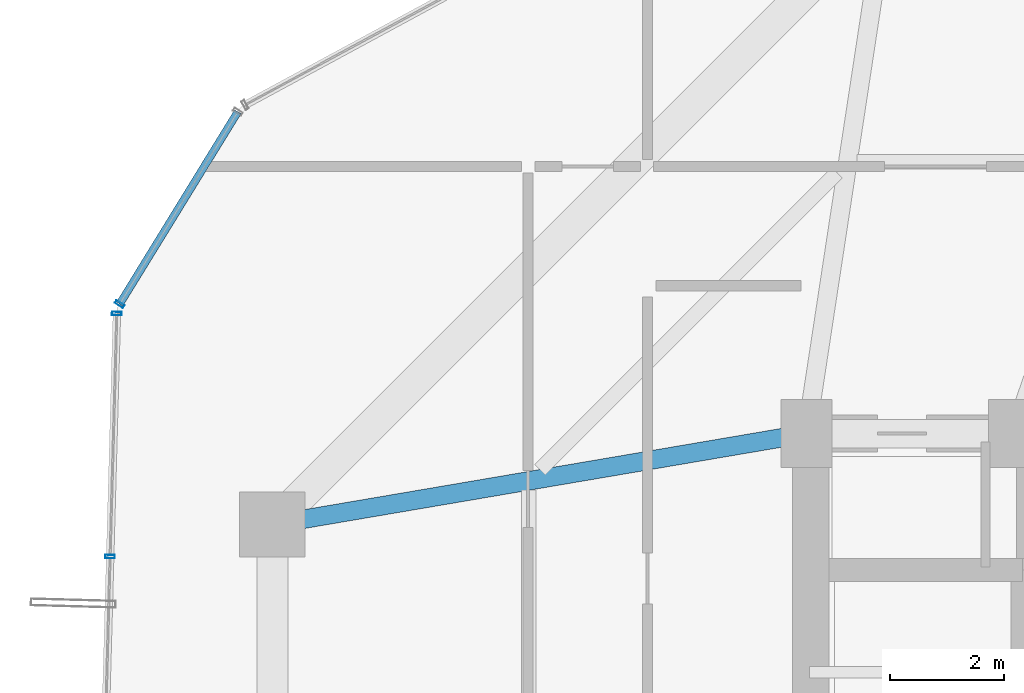
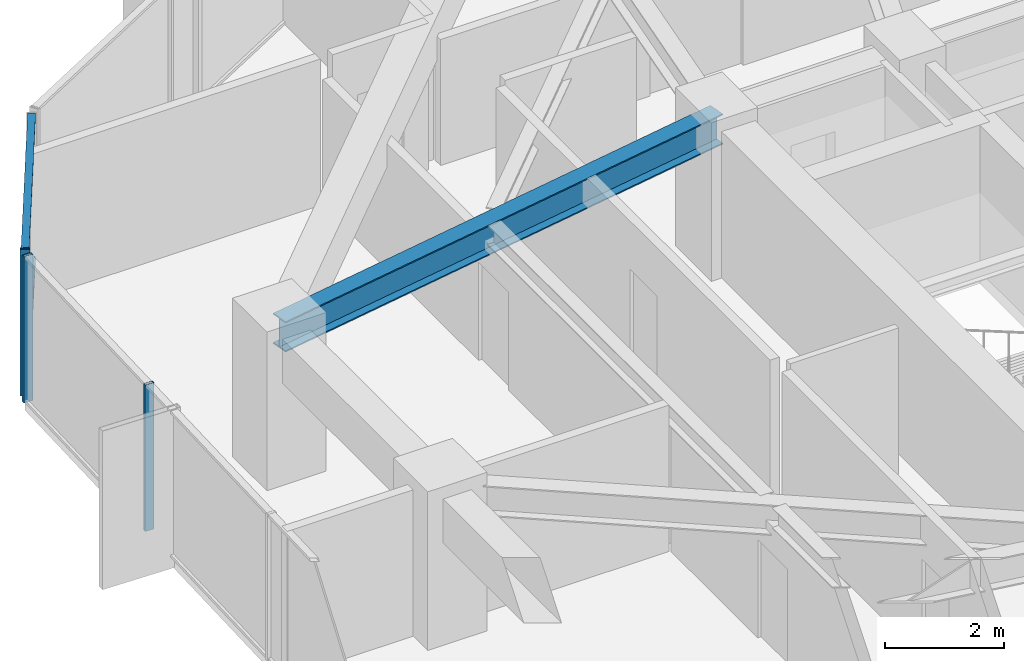
# One storey, part 11 of 30: 5 members, 1 beam, 2 elements without a shape of their own.
"""IFC4 building model written with IfcOpenShell, lengths in metres."""

from ifc_helpers import new_model, si_unit, direction, frame, origin, origin_2d, place, context, subcontext, project, spatial, hollow_rectangle, i_section, extrude, source, transform, mapped, material, layer, layer_set, material_profile, profile_set, type_object, element, aggregate, save


model = new_model("IFC4")

# Units and contexts
model_context = context("Model", 3, precision=1e-05, world=origin(), true_north=direction((0.0, 1.0)))
body_context = subcontext(model_context, "Body", "Model", "MODEL_VIEW")
ifc_project = project(units=[si_unit("LENGTHUNIT", "METRE"), si_unit("AREAUNIT", "SQUARE_METRE"), si_unit("VOLUMEUNIT", "CUBIC_METRE"), si_unit("PLANEANGLEUNIT", "RADIAN"), si_unit("MASSUNIT", "GRAM", prefix="KILO")], contexts=[model_context])

# Site, building, storey
site_placement = place(None, origin())
site = spatial("IfcSite", under=ifc_project, at=site_placement, CompositionType="ELEMENT")
building_placement = place(site_placement, origin())
building = spatial("IfcBuilding", under=site, at=building_placement, Name="Veraguas Prism Commons", CompositionType="ELEMENT")
storey_placement = place(building_placement, frame((0.0, 0.0, 123.0)))
storey = spatial("IfcBuildingStorey", under=building, at=storey_placement, Name="L34", CompositionType="ELEMENT", Elevation=123.0)

# Beam
ifc_material_1 = material(Name="Steel ASTM A992 Grade 50", Category="steel")
ifc_material_profile_1 = material_profile(ifc_material_1, i_section(OverallWidth=0.327880859375, OverallDepth=0.6220703125, WebThickness=0.015380859375, FlangeThickness=0.0244140625, at=origin_2d()), Name="W610X195")
ifc_profile_set_1 = profile_set([ifc_material_profile_1], Name="Steel ASTM A992 Grade 50")
beam_type = type_object("IfcBeamType", Name="Zone 2 Radial Girder W610x195", PredefinedType="BEAM", material=ifc_profile_set_1)
beam_placement = place(storey_placement, frame((7.800048828125, 29.39990234375, 2.68896484375), z_axis=(0.985819187151, 0.1678109956, 0.0), x_axis=(-0.1678109956, 0.985819187151, 0.0)))
element("IfcBeam", 1, at=beam_placement, inside=storey, type_object=beam_type, Name="Radial Floor Girder L34-RD07", PredefinedType="BEAM", context=body_context, shape_type="SweptSolid", body=[
    extrude(i_section(OverallWidth=0.327880859375, OverallDepth=0.6220703125, WebThickness=0.015380859375, FlangeThickness=0.0244140625, at=origin_2d()), origin(), (0.0, 0.0, 1.0), 9.53515625),
])

# Curtain wall, members
ifc_material_2 = material(Name="Anodised aluminium EN AW-6063 T6", Category="aluminium")
ifc_layer = layer(ifc_material_2, 0.169921875, Name="Unitised Flush Curtain Wall Zone 2", Category="aluminium")
ifc_layer_set = layer_set([ifc_layer], Name="Anodised aluminium EN AW-6063 T6")
curtain_wall_type = type_object("IfcCurtainWallType", Name="Unitised Flush Curtain Wall Zone 2", PredefinedType="NOTDEFINED", material=ifc_layer_set)
curtain_wall_1_placement = place(storey_placement, origin())
curtain_wall_1 = element("IfcCurtainWall", 2, at=curtain_wall_1_placement, inside=storey, type_object=curtain_wall_type, Name="Tower Facade Curtain Wall L34-F3", PredefinedType="NOTDEFINED")
ifc_material_profile_2 = material_profile(ifc_material_2, hollow_rectangle(XDim=0.06005859375, YDim=0.169921875, WallThickness=0.00390625, at=origin_2d()), Name="AL60X170X4")
ifc_profile_set_2 = profile_set([ifc_material_profile_2], Name="Anodised aluminium EN AW-6063 T6")
member_type_1 = type_object("IfcMemberType", Name="Curtain Wall Mullion Lower AL 60x170x4", PredefinedType="MULLION", material=ifc_profile_set_2)
shared_shape_1 = source(origin(), body_context, "Body", "SweptSolid", [
    extrude(hollow_rectangle(XDim=0.06005859375, YDim=0.169921875, WallThickness=0.00390625, at=origin_2d()), origin(), (0.0, 0.0, 1.0), 3.0),
])
member_1_placement = place(storey_placement, frame((5.0615234375, 33.11279296875, 0.0), z_axis=(0.0, 0.0, 1.0), x_axis=(-0.027567473277, -0.999619944988, 0.0)))
member_1 = element("IfcMember", 3, at=member_1_placement, type_object=member_type_1, Name="CW-Z2 Mullion 1", PredefinedType="MULLION", context=body_context, shape_type="MappedRepresentation", body=[
    mapped(shared_shape_1, transform((0.0, 0.0, 0.0), scale=1.0)),
])
member_2_placement = place(storey_placement, frame((4.943603515625, 28.8359375, 0.0), z_axis=(0.0, 0.0, 1.0), x_axis=(-0.027567473277, -0.999619944988, 0.0)))
member_2 = element("IfcMember", 4, at=member_2_placement, type_object=member_type_1, Name="CW-Z2 Mullion 2", PredefinedType="MULLION", context=body_context, shape_type="MappedRepresentation", body=[
    mapped(shared_shape_1, transform((0.0, 0.0, 0.0), scale=1.0)),
])
aggregate(curtain_wall_1, [member_1, member_2])

curtain_wall_2_placement = place(storey_placement, origin())
curtain_wall_2 = element("IfcCurtainWall", 5, at=curtain_wall_2_placement, inside=storey, type_object=curtain_wall_type, Name="Chamfer Curtain Wall L34-C3", PredefinedType="NOTDEFINED")
member_3_placement = place(storey_placement, frame((5.111328125, 33.279541015625, 0.0), z_axis=(0.0, 0.0, 1.0), x_axis=(-0.52368410467, -0.85191252985, 0.0)))
member_3 = element("IfcMember", 6, at=member_3_placement, type_object=member_type_1, Name="CW-Z2 Mullion 2", PredefinedType="MULLION", context=body_context, shape_type="MappedRepresentation", body=[
    mapped(shared_shape_1, transform((0.0, 0.0, 0.0), scale=1.0)),
])
ifc_material_profile_3 = material_profile(ifc_material_2, hollow_rectangle(XDim=0.054931640625, YDim=0.135009765625, WallThickness=0.0029296875, at=origin_2d()), Name="AL55X135X3")
ifc_profile_set_3 = profile_set([ifc_material_profile_3], Name="Anodised aluminium EN AW-6063 T6")
member_type_2 = type_object("IfcMemberType", Name="Curtain Wall Transom Standard AL 55x135x3", PredefinedType="USERDEFINED", material=ifc_profile_set_3)
shared_shape_2 = source(origin(), body_context, "Body", "SweptSolid", [
    extrude(hollow_rectangle(XDim=0.054931640625, YDim=0.135009765625, WallThickness=0.0029296875, at=origin_2d()), origin(), (0.0, 0.0, 1.0), 3.97314453125),
])
member_4_placement = place(storey_placement, frame((7.19189453125, 36.664306640625, 0.027587890625), z_axis=(-0.523665371617, -0.851924045071, 0.0), x_axis=(0.0, 0.0, 1.0)))
member_4 = element("IfcMember", 7, at=member_4_placement, type_object=member_type_2, Name="CW-Z2 Transom 1", ObjectType="TRANSOM", PredefinedType="USERDEFINED", context=body_context, shape_type="MappedRepresentation", body=[
    mapped(shared_shape_2, transform((0.0, 0.0, 0.0), scale=1.0)),
])
member_5_placement = place(storey_placement, frame((7.19189453125, 36.664306640625, 2.972412109375), z_axis=(-0.523665371617, -0.851924045071, 0.0), x_axis=(0.0, 0.0, 1.0)))
member_5 = element("IfcMember", 8, at=member_5_placement, type_object=member_type_2, Name="CW-Z2 Transom 2", ObjectType="TRANSOM", PredefinedType="USERDEFINED", context=body_context, shape_type="MappedRepresentation", body=[
    mapped(shared_shape_2, transform((0.0, 0.0, 0.0), scale=1.0)),
])
aggregate(curtain_wall_2, [member_3, member_4, member_5])

save(model, "model.ifc")
